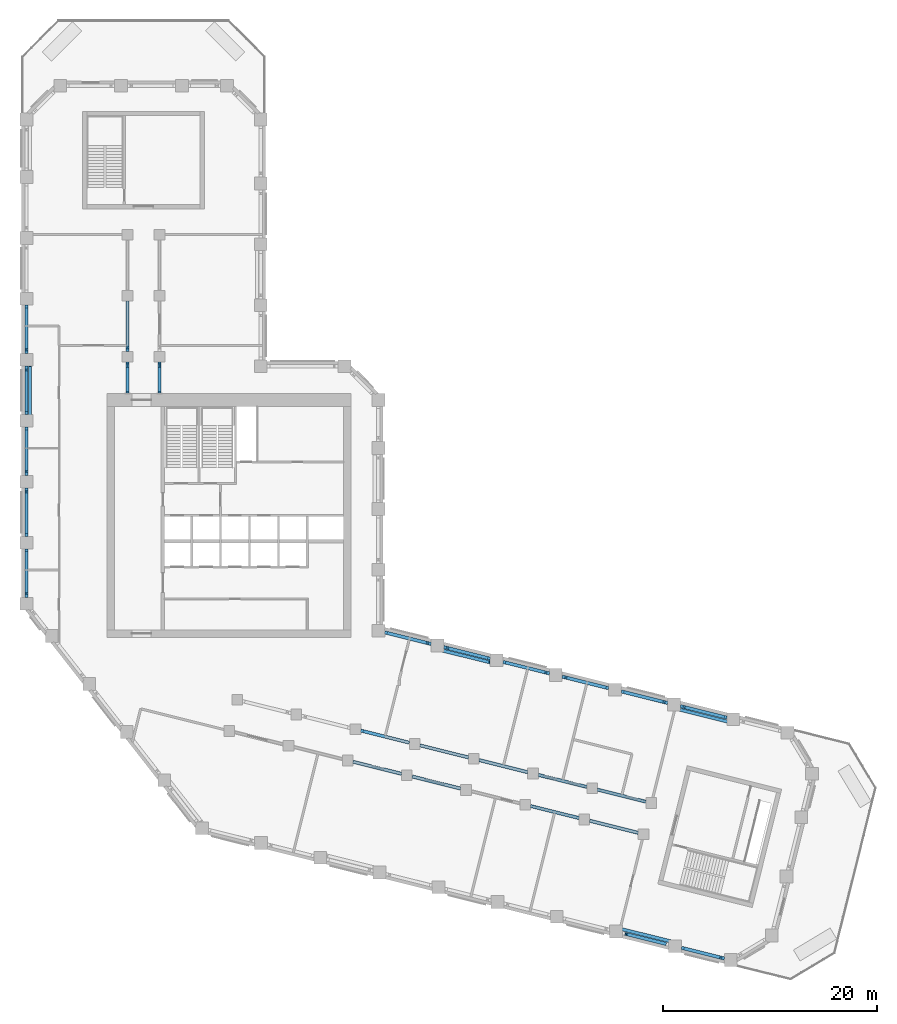
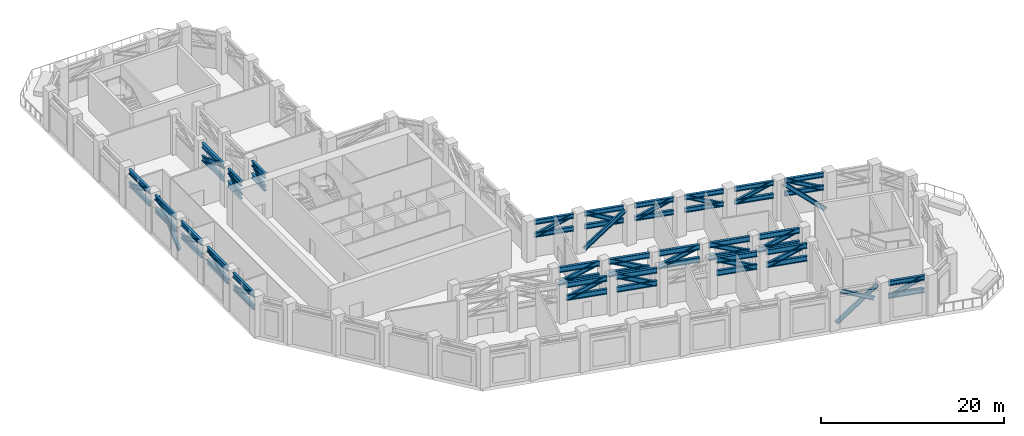
# One storey, part 2 of 14: 48 beams, 29 members.
"""IFC4 building model written with IfcOpenShell, lengths in metres."""

from ifc_helpers import new_model, si_unit, direction, frame, origin, origin_2d, place, context, subcontext, project, spatial, i_section, extrude, material, material_profile, profile_set, type_object, element, save


model = new_model("IFC4")

# Units and contexts
model_context = context("Model", 3, precision=1e-05, world=origin(), true_north=direction((0.0, 1.0)))
body_context = subcontext(model_context, "Body", "Model", "MODEL_VIEW")
ifc_project = project(units=[si_unit("LENGTHUNIT", "METRE"), si_unit("AREAUNIT", "SQUARE_METRE"), si_unit("VOLUMEUNIT", "CUBIC_METRE"), si_unit("PLANEANGLEUNIT", "RADIAN"), si_unit("MASSUNIT", "GRAM", prefix="KILO")], contexts=[model_context])

# Site, building, storey
site_placement = place(None, origin())
site = spatial("IfcSite", under=ifc_project, at=site_placement, CompositionType="ELEMENT")
building_placement = place(site_placement, origin())
building = spatial("IfcBuilding", under=site, at=building_placement, Name="Meshkara Civic Tower", CompositionType="ELEMENT")
storey_placement = place(building_placement, frame((0.0, 0.0, 220.199951171875)))
storey = spatial("IfcBuildingStorey", under=building, at=storey_placement, Name="L50", CompositionType="ELEMENT", Elevation=220.199951171875)

# Beams
ifc_material_1 = material(Name="Steel S355", Category="steel")
ifc_material_profile_1 = material_profile(ifc_material_1, i_section(OverallWidth=0.304931640625, OverallDepth=0.6201171875, WebThickness=0.02099609375, FlangeThickness=0.0400390625, FilletRadius=0.027099609375, at=origin_2d()))
ifc_profile_set_1 = profile_set([ifc_material_profile_1], Name="Steel S355")
beam_type_1 = type_object("IfcBeamType", Name="Belt truss chord HEM 600 S355", PredefinedType="BEAM", material=ifc_profile_set_1)
for number, where, z_axis, x_axis, name in (
    (1, (65.93896484375, 6.593505859375, 4.7900390625), (-0.970309199754, 0.241867850018, 0.0), (-0.241867850018, -0.970309199754, 0.0), "Belt truss chord BBN06-BN05"),
    (2, (65.93896484375, 6.593505859375, 3.090087890625), (-0.970309199754, 0.241867850018, 0.0), (-0.241867850018, -0.970309199754, 0.0), "Belt truss chord BBN06-BN05"),
):
    element("IfcBeam", number, at=place(storey_placement, frame(where, z_axis=z_axis, x_axis=x_axis)), inside=storey, type_object=beam_type_1, Name=name, PredefinedType="BEAM", context=body_context, shape_type="SweptSolid", body=[
        extrude(i_section(OverallWidth=0.304931640625, OverallDepth=0.6201171875, WebThickness=0.02099609375, FlangeThickness=0.0400390625, FilletRadius=0.027099609375, at=origin_2d()), origin(), (0.0, 0.0, 1.0), 4.4736328125),
    ])
for number, where, z_axis, x_axis, name in (
    (3, (60.407958984375, 7.972412109375, 4.7900390625), (-0.970283611566, 0.241970479865, 0.0), (-0.241970479865, -0.970283611566, 0.0), "Belt truss chord BBN05-BN04"),
    (4, (60.407958984375, 7.972412109375, 3.090087890625), (-0.970283611566, 0.241970479865, 0.0), (-0.241970479865, -0.970283611566, 0.0), "Belt truss chord BBN05-BN04"),
):
    element("IfcBeam", number, at=place(storey_placement, frame(where, z_axis=z_axis, x_axis=x_axis)), inside=storey, type_object=beam_type_1, Name=name, PredefinedType="BEAM", context=body_context, shape_type="SweptSolid", body=[
        extrude(i_section(OverallWidth=0.304931640625, OverallDepth=0.6201171875, WebThickness=0.02099609375, FlangeThickness=0.0400390625, FilletRadius=0.027099609375, at=origin_2d()), origin(), (0.0, 0.0, 1.0), 4.47265625),
    ])
for number, where, z_axis, x_axis, name in (
    (5, (54.8779296875, 9.351318359375, 4.7900390625), (-0.970296390995, 0.241919229543, 0.0), (-0.241919229543, -0.970296390995, 0.0), "Belt truss chord BBN04-BN03"),
    (6, (54.8779296875, 9.351318359375, 3.090087890625), (-0.970296390995, 0.241919229543, 0.0), (-0.241919229543, -0.970296390995, 0.0), "Belt truss chord BBN04-BN03"),
    (7, (49.346923828125, 10.73046875, 4.7900390625), (-0.970309199754, 0.241867850018, 0.0), (-0.241867850018, -0.970309199754, 0.0), "Belt truss chord BBN03-BN02"),
    (8, (49.346923828125, 10.73046875, 3.090087890625), (-0.970309199754, 0.241867850018, 0.0), (-0.241867850018, -0.970309199754, 0.0), "Belt truss chord BBN03-BN02"),
):
    element("IfcBeam", number, at=place(storey_placement, frame(where, z_axis=z_axis, x_axis=x_axis)), inside=storey, type_object=beam_type_1, Name=name, PredefinedType="BEAM", context=body_context, shape_type="SweptSolid", body=[
        extrude(i_section(OverallWidth=0.304931640625, OverallDepth=0.6201171875, WebThickness=0.02099609375, FlangeThickness=0.0400390625, FilletRadius=0.027099609375, at=origin_2d()), origin(), (0.0, 0.0, 1.0), 4.4736328125),
    ])
for number, where, z_axis, x_axis, name in (
    (9, (43.81591796875, 12.109375, 4.7900390625), (-0.970283611566, 0.241970479865, 0.0), (-0.241970479865, -0.970283611566, 0.0), "Belt truss chord BBN02-BN01"),
    (10, (43.81591796875, 12.109375, 3.090087890625), (-0.970283611566, 0.241970479865, 0.0), (-0.241970479865, -0.970283611566, 0.0), "Belt truss chord BBN02-BN01"),
):
    element("IfcBeam", number, at=place(storey_placement, frame(where, z_axis=z_axis, x_axis=x_axis)), inside=storey, type_object=beam_type_1, Name=name, PredefinedType="BEAM", context=body_context, shape_type="SweptSolid", body=[
        extrude(i_section(OverallWidth=0.304931640625, OverallDepth=0.6201171875, WebThickness=0.02099609375, FlangeThickness=0.0400390625, FilletRadius=0.027099609375, at=origin_2d()), origin(), (0.0, 0.0, 1.0), 4.47265625),
    ])
for number, where, z_axis, x_axis, name in (
    (11, (38.285888671875, 13.48828125, 4.7900390625), (-0.970296390995, 0.241919229543, 0.0), (-0.241919229543, -0.970296390995, 0.0), "Belt truss chord BBN01-HE00"),
    (12, (38.285888671875, 13.48828125, 3.090087890625), (-0.970296390995, 0.241919229543, 0.0), (-0.241919229543, -0.970296390995, 0.0), "Belt truss chord BBN01-HE00"),
):
    element("IfcBeam", number, at=place(storey_placement, frame(where, z_axis=z_axis, x_axis=x_axis)), inside=storey, type_object=beam_type_1, Name=name, PredefinedType="BEAM", context=body_context, shape_type="SweptSolid", body=[
        extrude(i_section(OverallWidth=0.304931640625, OverallDepth=0.6201171875, WebThickness=0.02099609375, FlangeThickness=0.0400390625, FilletRadius=0.027099609375, at=origin_2d()), origin(), (0.0, 0.0, 1.0), 4.4736328125),
    ])
for number, where, z_axis, x_axis, name in (
    (13, (0.449951171875, 45.159912109375, 4.7900390625), (0.0, -1.0, 0.0), (1.0, 0.0, 0.0), "Belt truss chord BAW05-AW04"),
    (14, (0.449951171875, 45.159912109375, 3.090087890625), (0.0, -1.0, 0.0), (1.0, 0.0, 0.0), "Belt truss chord BAW05-AW04"),
    (15, (0.449951171875, 39.4599609375, 4.7900390625), (0.0, -1.0, 0.0), (1.0, 0.0, 0.0), "Belt truss chord BAW04-AW03"),
    (16, (0.449951171875, 39.4599609375, 3.090087890625), (0.0, -1.0, 0.0), (1.0, 0.0, 0.0), "Belt truss chord BAW04-AW03"),
    (17, (0.449951171875, 33.760009765625, 4.7900390625), (0.0, -1.0, 0.0), (1.0, 0.0, 0.0), "Belt truss chord BAW03-AW02"),
    (18, (0.449951171875, 33.760009765625, 3.090087890625), (0.0, -1.0, 0.0), (1.0, 0.0, 0.0), "Belt truss chord BAW03-AW02"),
    (19, (0.449951171875, 28.06005859375, 4.7900390625), (0.0, -1.0, 0.0), (1.0, 0.0, 0.0), "Belt truss chord BAW02-AW01"),
    (20, (0.449951171875, 28.06005859375, 3.090087890625), (0.0, -1.0, 0.0), (1.0, 0.0, 0.0), "Belt truss chord BAW02-AW01"),
    (21, (0.449951171875, 22.360107421875, 4.7900390625), (0.0, -1.0, 0.0), (1.0, 0.0, 0.0), "Belt truss chord BAW01-AW00"),
    (22, (0.449951171875, 22.360107421875, 3.090087890625), (0.0, -1.0, 0.0), (1.0, 0.0, 0.0), "Belt truss chord BAW01-AW00"),
):
    element("IfcBeam", number, at=place(storey_placement, frame(where, z_axis=z_axis, x_axis=x_axis)), inside=storey, type_object=beam_type_1, Name=name, PredefinedType="BEAM", context=body_context, shape_type="SweptSolid", body=[
        extrude(i_section(OverallWidth=0.304931640625, OverallDepth=0.6201171875, WebThickness=0.02099609375, FlangeThickness=0.0400390625, FilletRadius=0.027099609375, at=origin_2d()), origin(), (0.0, 0.0, 1.0), 4.510009765625),
    ])
for number, where, z_axis, x_axis, name in (
    (23, (61.692138671875, -14.91748046875, 4.7900390625), (0.970322988739, -0.241812525574, 0.0), (0.241812525574, 0.970322988739, 0.0), "Belt truss chord BBS08-BSEP3"),
    (24, (61.692138671875, -14.91748046875, 3.090087890625), (0.970322988739, -0.241812525574, 0.0), (0.241812525574, 0.970322988739, 0.0), "Belt truss chord BBS08-BSEP3"),
):
    element("IfcBeam", number, at=place(storey_placement, frame(where, z_axis=z_axis, x_axis=x_axis)), inside=storey, type_object=beam_type_1, Name=name, PredefinedType="BEAM", context=body_context, shape_type="SweptSolid", body=[
        extrude(i_section(OverallWidth=0.304931640625, OverallDepth=0.6201171875, WebThickness=0.02099609375, FlangeThickness=0.0400390625, FilletRadius=0.027099609375, at=origin_2d()), origin(), (0.0, 0.0, 1.0), 4.13134765625),
    ])
ifc_material_2 = material(Name="Steel S355", Category="steel")
ifc_material_profile_2 = material_profile(ifc_material_2, i_section(OverallWidth=0.300048828125, OverallDepth=0.699951171875, WebThickness=0.01708984375, FlangeThickness=0.031982421875, FilletRadius=0.027099609375, at=origin_2d()))
ifc_profile_set_2 = profile_set([ifc_material_profile_2], Name="Steel S355")
beam_type_2 = type_object("IfcBeamType", Name="Outrigger chord HEB 700 S355", PredefinedType="BEAM", material=ifc_profile_set_2)
for number, where, z_axis, x_axis, name in (
    (25, (9.89990234375, 36.93994140625, 4.75), (0.0, 1.0, 0.0), (-1.0, 0.0, 0.0), "Outrigger chord OSA1-CORE-SA1-04"),
    (26, (9.89990234375, 36.93994140625, 3.050048828125), (0.0, 1.0, 0.0), (-1.0, 0.0, 0.0), "Outrigger chord OSA1-CORE-SA1-04"),
):
    element("IfcBeam", number, at=place(storey_placement, frame(where, z_axis=z_axis, x_axis=x_axis)), inside=storey, type_object=beam_type_2, Name=name, PredefinedType="BEAM", context=body_context, shape_type="SweptSolid", body=[
        extrude(i_section(OverallWidth=0.300048828125, OverallDepth=0.699951171875, WebThickness=0.01708984375, FlangeThickness=0.031982421875, FilletRadius=0.027099609375, at=origin_2d()), origin(), (0.0, 0.0, 1.0), 2.9150390625),
    ])
for number, where, z_axis, x_axis, name in (
    (27, (9.89990234375, 40.844970703125, 4.75), (0.0, 1.0, 0.0), (-1.0, 0.0, 0.0), "Outrigger chord OSA1-SA1-04-SA1-05"),
    (28, (9.89990234375, 40.844970703125, 3.050048828125), (0.0, 1.0, 0.0), (-1.0, 0.0, 0.0), "Outrigger chord OSA1-SA1-04-SA1-05"),
):
    element("IfcBeam", number, at=place(storey_placement, frame(where, z_axis=z_axis, x_axis=x_axis)), inside=storey, type_object=beam_type_2, Name=name, PredefinedType="BEAM", context=body_context, shape_type="SweptSolid", body=[
        extrude(i_section(OverallWidth=0.300048828125, OverallDepth=0.699951171875, WebThickness=0.01708984375, FlangeThickness=0.031982421875, FilletRadius=0.027099609375, at=origin_2d()), origin(), (0.0, 0.0, 1.0), 4.7099609375),
    ])
for number, where, z_axis, x_axis, name in (
    (29, (12.89990234375, 36.93994140625, 4.75), (0.0, 1.0, 0.0), (-1.0, 0.0, 0.0), "Outrigger chord OSA2-CORE-SA2-04"),
    (30, (12.89990234375, 36.93994140625, 3.050048828125), (0.0, 1.0, 0.0), (-1.0, 0.0, 0.0), "Outrigger chord OSA2-CORE-SA2-04"),
):
    element("IfcBeam", number, at=place(storey_placement, frame(where, z_axis=z_axis, x_axis=x_axis)), inside=storey, type_object=beam_type_2, Name=name, PredefinedType="BEAM", context=body_context, shape_type="SweptSolid", body=[
        extrude(i_section(OverallWidth=0.300048828125, OverallDepth=0.699951171875, WebThickness=0.01708984375, FlangeThickness=0.031982421875, FilletRadius=0.027099609375, at=origin_2d()), origin(), (0.0, 0.0, 1.0), 2.9150390625),
    ])
for number, where, z_axis, x_axis, name in (
    (31, (30.97998046875, 2.478515625, 4.75), (0.970301859111, -0.241897296812, 0.0), (0.241897296812, 0.970301859111, 0.0), "Outrigger chord OSB1-SB1-02-SB1-03"),
    (32, (30.97998046875, 2.478515625, 3.050048828125), (0.970301859111, -0.241897296812, 0.0), (0.241897296812, 0.970301859111, 0.0), "Outrigger chord OSB1-SB1-02-SB1-03"),
):
    element("IfcBeam", number, at=place(storey_placement, frame(where, z_axis=z_axis, x_axis=x_axis)), inside=storey, type_object=beam_type_2, Name=name, PredefinedType="BEAM", context=body_context, shape_type="SweptSolid", body=[
        extrude(i_section(OverallWidth=0.300048828125, OverallDepth=0.699951171875, WebThickness=0.01708984375, FlangeThickness=0.031982421875, FilletRadius=0.027099609375, at=origin_2d()), origin(), (0.0, 0.0, 1.0), 4.679931640625),
    ])
for number, where, z_axis, x_axis, name in (
    (33, (36.510986328125, 1.099609375, 4.75), (0.970286590806, -0.241958533023, 0.0), (0.241958533023, 0.970286590806, 0.0), "Outrigger chord OSB1-SB1-03-SB1-04"),
    (34, (36.510986328125, 1.099609375, 3.050048828125), (0.970286590806, -0.241958533023, 0.0), (0.241958533023, 0.970286590806, 0.0), "Outrigger chord OSB1-SB1-03-SB1-04"),
):
    element("IfcBeam", number, at=place(storey_placement, frame(where, z_axis=z_axis, x_axis=x_axis)), inside=storey, type_object=beam_type_2, Name=name, PredefinedType="BEAM", context=body_context, shape_type="SweptSolid", body=[
        extrude(i_section(OverallWidth=0.300048828125, OverallDepth=0.699951171875, WebThickness=0.01708984375, FlangeThickness=0.031982421875, FilletRadius=0.027099609375, at=origin_2d()), origin(), (0.0, 0.0, 1.0), 4.6787109375),
    ])
for number, where, z_axis, x_axis, name in (
    (35, (47.572021484375, -1.658447265625, 4.75), (0.970298806378, -0.241909541651, 0.0), (0.241909541651, 0.970298806378, 0.0), "Outrigger chord OSB1-SB1-05-SB1-06"),
    (36, (47.572021484375, -1.658447265625, 3.050048828125), (0.970298806378, -0.241909541651, 0.0), (0.241909541651, 0.970298806378, 0.0), "Outrigger chord OSB1-SB1-05-SB1-06"),
    (37, (53.10302734375, -3.037353515625, 4.75), (0.970335532899, -0.241762183959, 0.0), (0.241762183959, 0.970335532899, 0.0), "Outrigger chord OSB1-SB1-06-SB1-07"),
    (38, (53.10302734375, -3.037353515625, 3.050048828125), (0.970335532899, -0.241762183959, 0.0), (0.241762183959, 0.970335532899, 0.0), "Outrigger chord OSB1-SB1-06-SB1-07"),
    (39, (31.7060546875, 5.389404296875, 4.75), (0.970311050729, -0.24186042428, 0.0), (0.24186042428, 0.970311050729, 0.0), "Outrigger chord OSB2-SB2-02-SB2-03"),
    (40, (31.7060546875, 5.389404296875, 3.050048828125), (0.970311050729, -0.24186042428, 0.0), (0.24186042428, 0.970311050729, 0.0), "Outrigger chord OSB2-SB2-02-SB2-03"),
):
    element("IfcBeam", number, at=place(storey_placement, frame(where, z_axis=z_axis, x_axis=x_axis)), inside=storey, type_object=beam_type_2, Name=name, PredefinedType="BEAM", context=body_context, shape_type="SweptSolid", body=[
        extrude(i_section(OverallWidth=0.300048828125, OverallDepth=0.699951171875, WebThickness=0.01708984375, FlangeThickness=0.031982421875, FilletRadius=0.027099609375, at=origin_2d()), origin(), (0.0, 0.0, 1.0), 4.6796875),
    ])
for number, where, z_axis, x_axis, name in (
    (41, (37.237060546875, 4.010498046875, 4.75), (0.970286590806, -0.241958533023, 0.0), (0.241958533023, 0.970286590806, 0.0), "Outrigger chord OSB2-SB2-03-SB2-04"),
    (42, (37.237060546875, 4.010498046875, 3.050048828125), (0.970286590806, -0.241958533023, 0.0), (0.241958533023, 0.970286590806, 0.0), "Outrigger chord OSB2-SB2-03-SB2-04"),
):
    element("IfcBeam", number, at=place(storey_placement, frame(where, z_axis=z_axis, x_axis=x_axis)), inside=storey, type_object=beam_type_2, Name=name, PredefinedType="BEAM", context=body_context, shape_type="SweptSolid", body=[
        extrude(i_section(OverallWidth=0.300048828125, OverallDepth=0.699951171875, WebThickness=0.01708984375, FlangeThickness=0.031982421875, FilletRadius=0.027099609375, at=origin_2d()), origin(), (0.0, 0.0, 1.0), 4.6787109375),
    ])
for number, where, z_axis, x_axis, name in (
    (43, (42.76708984375, 2.631591796875, 4.75), (0.970298806378, -0.241909541651, 0.0), (0.241909541651, 0.970298806378, 0.0), "Outrigger chord OSB2-SB2-04-SB2-05"),
    (44, (42.76708984375, 2.631591796875, 3.050048828125), (0.970298806378, -0.241909541651, 0.0), (0.241909541651, 0.970298806378, 0.0), "Outrigger chord OSB2-SB2-04-SB2-05"),
    (45, (48.298095703125, 1.25244140625, 4.75), (0.970311050729, -0.24186042428, 0.0), (0.24186042428, 0.970311050729, 0.0), "Outrigger chord OSB2-SB2-05-SB2-06"),
    (46, (48.298095703125, 1.25244140625, 3.050048828125), (0.970311050729, -0.24186042428, 0.0), (0.24186042428, 0.970311050729, 0.0), "Outrigger chord OSB2-SB2-05-SB2-06"),
):
    element("IfcBeam", number, at=place(storey_placement, frame(where, z_axis=z_axis, x_axis=x_axis)), inside=storey, type_object=beam_type_2, Name=name, PredefinedType="BEAM", context=body_context, shape_type="SweptSolid", body=[
        extrude(i_section(OverallWidth=0.300048828125, OverallDepth=0.699951171875, WebThickness=0.01708984375, FlangeThickness=0.031982421875, FilletRadius=0.027099609375, at=origin_2d()), origin(), (0.0, 0.0, 1.0), 4.6796875),
    ])
for number, where, z_axis, x_axis, name in (
    (47, (53.8291015625, -0.12646484375, 4.75), (0.970286590806, -0.241958533023, 0.0), (0.241958533023, 0.970286590806, 0.0), "Outrigger chord OSB2-SB2-06-SB2-07"),
    (48, (53.8291015625, -0.12646484375, 3.050048828125), (0.970286590806, -0.241958533023, 0.0), (0.241958533023, 0.970286590806, 0.0), "Outrigger chord OSB2-SB2-06-SB2-07"),
):
    element("IfcBeam", number, at=place(storey_placement, frame(where, z_axis=z_axis, x_axis=x_axis)), inside=storey, type_object=beam_type_2, Name=name, PredefinedType="BEAM", context=body_context, shape_type="SweptSolid", body=[
        extrude(i_section(OverallWidth=0.300048828125, OverallDepth=0.699951171875, WebThickness=0.01708984375, FlangeThickness=0.031982421875, FilletRadius=0.027099609375, at=origin_2d()), origin(), (0.0, 0.0, 1.0), 4.6787109375),
    ])

# Members
ifc_material_3 = material(Name="Steel S355", Category="steel")
ifc_material_profile_3 = material_profile(ifc_material_3, i_section(OverallWidth=0.300048828125, OverallDepth=0.590087890625, WebThickness=0.012939453125, FlangeThickness=0.02490234375, FilletRadius=0.027099609375, at=origin_2d()))
ifc_profile_set_3 = profile_set([ifc_material_profile_3], Name="Steel S355")
member_type_1 = type_object("IfcMemberType", Name="Truss diagonal HEA 600 S355", PredefinedType="BRACE", material=ifc_profile_set_3)
member_1_placement = place(storey_placement, frame((9.89990234375, 37.2900390625, 3.050048828125), z_axis=(0.0, 0.793276913561, 0.60886101732), x_axis=(-1.0, 0.0, 0.0)))
element("IfcMember", 49, at=member_1_placement, inside=storey, type_object=member_type_1, Name="TD-OSA1-CORE-SA1-04-L50", PredefinedType="BRACE", context=body_context, shape_type="SweptSolid", body=[
    extrude(i_section(OverallWidth=0.300048828125, OverallDepth=0.590087890625, WebThickness=0.012939453125, FlangeThickness=0.02490234375, FilletRadius=0.027099609375, at=origin_2d()), origin(), (0.0, 0.0, 1.0), 2.7919921875),
])
member_2_placement = place(storey_placement, frame((9.89990234375, 41.195068359375, 4.75), z_axis=(0.0, 0.920686179442, -0.39030367534), x_axis=(-1.0, 0.0, 0.0)))
element("IfcMember", 50, at=member_2_placement, inside=storey, type_object=member_type_1, Name="TD-OSA1-SA1-04-SA1-05-L50", PredefinedType="BRACE", context=body_context, shape_type="SweptSolid", body=[
    extrude(i_section(OverallWidth=0.300048828125, OverallDepth=0.590087890625, WebThickness=0.012939453125, FlangeThickness=0.02490234375, FilletRadius=0.027099609375, at=origin_2d()), origin(), (0.0, 0.0, 1.0), 4.35546875),
])
member_3_placement = place(storey_placement, frame((12.89990234375, 37.2900390625, 3.050048828125), z_axis=(0.0, 0.793276913561, 0.60886101732), x_axis=(-1.0, 0.0, 0.0)))
element("IfcMember", 51, at=member_3_placement, inside=storey, type_object=member_type_1, Name="TD-OSA2-CORE-SA2-04-L50", PredefinedType="BRACE", context=body_context, shape_type="SweptSolid", body=[
    extrude(i_section(OverallWidth=0.300048828125, OverallDepth=0.590087890625, WebThickness=0.012939453125, FlangeThickness=0.02490234375, FilletRadius=0.027099609375, at=origin_2d()), origin(), (0.0, 0.0, 1.0), 2.7919921875),
])
member_4_placement = place(storey_placement, frame((31.31982421875, 2.393798828125, 3.050048828125), z_axis=(0.892297807062, -0.22245386022, 0.392834448064), x_axis=(0.241900427004, 0.970301078746, 0.0)))
element("IfcMember", 52, at=member_4_placement, inside=storey, type_object=member_type_1, Name="TD-OSB1-SB1-02-SB1-03-L50", PredefinedType="BRACE", context=body_context, shape_type="SweptSolid", body=[
    extrude(i_section(OverallWidth=0.300048828125, OverallDepth=0.590087890625, WebThickness=0.012939453125, FlangeThickness=0.02490234375, FilletRadius=0.027099609375, at=origin_2d()), origin(), (0.0, 0.0, 1.0), 4.327392578125),
])
member_5_placement = place(storey_placement, frame((36.8505859375, 1.014892578125, 4.75), z_axis=(0.892263304857, -0.222487460384, -0.392893783072), x_axis=(0.241943633537, 0.970290306141, 0.0)))
element("IfcMember", 53, at=member_5_placement, inside=storey, type_object=member_type_1, Name="TD-OSB1-SB1-03-SB1-04-L50", PredefinedType="BRACE", context=body_context, shape_type="SweptSolid", body=[
    extrude(i_section(OverallWidth=0.300048828125, OverallDepth=0.590087890625, WebThickness=0.012939453125, FlangeThickness=0.02490234375, FilletRadius=0.027099609375, at=origin_2d()), origin(), (0.0, 0.0, 1.0), 4.32666015625),
])
member_6_placement = place(storey_placement, frame((47.911865234375, -1.7431640625, 4.75), z_axis=(0.892297807062, -0.22245386022, -0.392834448064), x_axis=(0.241900427004, 0.970301078746, 0.0)))
element("IfcMember", 54, at=member_6_placement, inside=storey, type_object=member_type_1, Name="TD-OSB1-SB1-05-SB1-06-L50", PredefinedType="BRACE", context=body_context, shape_type="SweptSolid", body=[
    extrude(i_section(OverallWidth=0.300048828125, OverallDepth=0.590087890625, WebThickness=0.012939453125, FlangeThickness=0.02490234375, FilletRadius=0.027099609375, at=origin_2d()), origin(), (0.0, 0.0, 1.0), 4.327392578125),
])
member_7_placement = place(storey_placement, frame((53.44287109375, -3.1220703125, 3.050048828125), z_axis=(0.892331391916, -0.222292974466, 0.392849233808), x_axis=(0.241727137149, 0.970344264251, 0.0)))
element("IfcMember", 55, at=member_7_placement, inside=storey, type_object=member_type_1, Name="TD-OSB1-SB1-06-SB1-07-L50", PredefinedType="BRACE", context=body_context, shape_type="SweptSolid", body=[
    extrude(i_section(OverallWidth=0.300048828125, OverallDepth=0.590087890625, WebThickness=0.012939453125, FlangeThickness=0.02490234375, FilletRadius=0.027099609375, at=origin_2d()), origin(), (0.0, 0.0, 1.0), 4.3271484375),
])
member_8_placement = place(storey_placement, frame((32.0458984375, 5.304931640625, 3.050048828125), z_axis=(0.892286607273, -0.222507484768, 0.392829517352), x_axis=(0.241958185146, 0.970286677555, 0.0)))
element("IfcMember", 56, at=member_8_placement, inside=storey, type_object=member_type_1, Name="TD-OSB2-SB2-02-SB2-03-L50", PredefinedType="BRACE", context=body_context, shape_type="SweptSolid", body=[
    extrude(i_section(OverallWidth=0.300048828125, OverallDepth=0.590087890625, WebThickness=0.012939453125, FlangeThickness=0.02490234375, FilletRadius=0.027099609375, at=origin_2d()), origin(), (0.0, 0.0, 1.0), 4.327392578125),
])
member_9_placement = place(storey_placement, frame((37.57666015625, 3.92578125, 4.75), z_axis=(0.892263304857, -0.222487460384, -0.392893783072), x_axis=(0.241943633537, 0.970290306141, 0.0)))
element("IfcMember", 57, at=member_9_placement, inside=storey, type_object=member_type_1, Name="TD-OSB2-SB2-03-SB2-04-L50", PredefinedType="BRACE", context=body_context, shape_type="SweptSolid", body=[
    extrude(i_section(OverallWidth=0.300048828125, OverallDepth=0.590087890625, WebThickness=0.012939453125, FlangeThickness=0.02490234375, FilletRadius=0.027099609375, at=origin_2d()), origin(), (0.0, 0.0, 1.0), 4.32666015625),
])
for number, where, z_axis, x_axis, name in (
    (58, (43.106689453125, 2.546875, 3.050048828125), (0.892298105518, -0.222496284261, 0.392809743233), (0.241943783281, 0.970290268802, 0.0), "TD-OSB2-SB2-04-SB2-05-L50"),
    (59, (48.6376953125, 1.16796875, 4.75), (0.892298105518, -0.222496284261, -0.392809743233), (0.241943783281, 0.970290268802, 0.0), "TD-OSB2-SB2-05-SB2-06-L50"),
):
    element("IfcMember", number, at=place(storey_placement, frame(where, z_axis=z_axis, x_axis=x_axis)), inside=storey, type_object=member_type_1, Name=name, PredefinedType="BRACE", context=body_context, shape_type="SweptSolid", body=[
        extrude(i_section(OverallWidth=0.300048828125, OverallDepth=0.590087890625, WebThickness=0.012939453125, FlangeThickness=0.02490234375, FilletRadius=0.027099609375, at=origin_2d()), origin(), (0.0, 0.0, 1.0), 4.32763671875),
    ])
member_10_placement = place(storey_placement, frame((54.168701171875, -0.211181640625, 3.050048828125), z_axis=(0.892263304857, -0.222487460384, 0.392893783072), x_axis=(0.241943633537, 0.970290306141, 0.0)))
element("IfcMember", 60, at=member_10_placement, inside=storey, type_object=member_type_1, Name="TD-OSB2-SB2-06-SB2-07-L50", PredefinedType="BRACE", context=body_context, shape_type="SweptSolid", body=[
    extrude(i_section(OverallWidth=0.300048828125, OverallDepth=0.590087890625, WebThickness=0.012939453125, FlangeThickness=0.02490234375, FilletRadius=0.027099609375, at=origin_2d()), origin(), (0.0, 0.0, 1.0), 4.32666015625),
])
ifc_material_4 = material(Name="Steel S355", Category="steel")
ifc_material_profile_4 = material_profile(ifc_material_4, i_section(OverallWidth=0.300048828125, OverallDepth=0.5, WebThickness=0.014404296875, FlangeThickness=0.028076171875, FilletRadius=0.027099609375, at=origin_2d()))
ifc_profile_set_4 = profile_set([ifc_material_profile_4], Name="Steel S355")
member_type_2 = type_object("IfcMemberType", Name="Truss diagonal HEB 500 S355", PredefinedType="BRACE", material=ifc_profile_set_4)
member_11_placement = place(storey_placement, frame((65.59912109375, 6.677978515625, 3.090087890625), z_axis=(-0.884669456815, 0.220562719146, 0.410745710996), x_axis=(-0.241911414998, -0.970298339323, 0.0)))
element("IfcMember", 61, at=member_11_placement, inside=storey, type_object=member_type_2, Name="TD-BBN06-BN05-L50", PredefinedType="BRACE", context=body_context, shape_type="SweptSolid", body=[
    extrude(i_section(OverallWidth=0.300048828125, OverallDepth=0.5, WebThickness=0.014404296875, FlangeThickness=0.028076171875, FilletRadius=0.027099609375, at=origin_2d()), origin(), (0.0, 0.0, 1.0), 4.138671875),
])
member_12_placement = place(storey_placement, frame((60.068359375, 8.05712890625, 4.7900390625), z_axis=(-0.884630981745, 0.220597254952, -0.410810025736), x_axis=(-0.241956983323, -0.97028697725, 0.0)))
element("IfcMember", 62, at=member_12_placement, inside=storey, type_object=member_type_2, Name="TD-BBN05-BN04-L50", PredefinedType="BRACE", context=body_context, shape_type="SweptSolid", body=[
    extrude(i_section(OverallWidth=0.300048828125, OverallDepth=0.5, WebThickness=0.014404296875, FlangeThickness=0.028076171875, FilletRadius=0.027099609375, at=origin_2d()), origin(), (0.0, 0.0, 1.0), 4.137939453125),
])
for number, where, z_axis, x_axis, name in (
    (63, (54.5380859375, 9.43603515625, 3.090087890625), (-0.884669456815, 0.220562719146, 0.410745710996), (-0.241911414998, -0.970298339323, 0.0), "TD-BBN04-BN03-L50"),
    (64, (49.007080078125, 10.815185546875, 4.7900390625), (-0.884680965884, 0.220506598018, -0.410751054574), (-0.24185050036, -0.970313524319, 0.0), "TD-BBN03-BN02-L50"),
):
    element("IfcMember", number, at=place(storey_placement, frame(where, z_axis=z_axis, x_axis=x_axis)), inside=storey, type_object=member_type_2, Name=name, PredefinedType="BRACE", context=body_context, shape_type="SweptSolid", body=[
        extrude(i_section(OverallWidth=0.300048828125, OverallDepth=0.5, WebThickness=0.014404296875, FlangeThickness=0.028076171875, FilletRadius=0.027099609375, at=origin_2d()), origin(), (0.0, 0.0, 1.0), 4.138671875),
    ])
member_13_placement = place(storey_placement, frame((43.476318359375, 12.194091796875, 3.090087890625), z_axis=(-0.884630981745, 0.220597254952, 0.410810025736), x_axis=(-0.241956983323, -0.97028697725, 0.0)))
element("IfcMember", 65, at=member_13_placement, inside=storey, type_object=member_type_2, Name="TD-BBN02-BN01-L50", PredefinedType="BRACE", context=body_context, shape_type="SweptSolid", body=[
    extrude(i_section(OverallWidth=0.300048828125, OverallDepth=0.5, WebThickness=0.014404296875, FlangeThickness=0.028076171875, FilletRadius=0.027099609375, at=origin_2d()), origin(), (0.0, 0.0, 1.0), 4.137939453125),
])
member_14_placement = place(storey_placement, frame((37.9462890625, 13.572998046875, 4.7900390625), z_axis=(-0.884669456815, 0.220562719146, -0.410745710996), x_axis=(-0.241911414998, -0.970298339323, 0.0)))
element("IfcMember", 66, at=member_14_placement, inside=storey, type_object=member_type_2, Name="TD-BBN01-HE00-L50", PredefinedType="BRACE", context=body_context, shape_type="SweptSolid", body=[
    extrude(i_section(OverallWidth=0.300048828125, OverallDepth=0.5, WebThickness=0.014404296875, FlangeThickness=0.028076171875, FilletRadius=0.027099609375, at=origin_2d()), origin(), (0.0, 0.0, 1.0), 4.138671875),
])
for number, where, z_axis, x_axis, name in (
    (67, (0.449951171875, 44.81005859375, 3.090087890625), (0.0, -0.91322421456, 0.407457401383), (1.0, 0.0, 0.0), "TD-BAW05-AW04-L50"),
    (68, (0.449951171875, 39.110107421875, 4.7900390625), (0.0, -0.91322421456, -0.407457401383), (1.0, 0.0, 0.0), "TD-BAW04-AW03-L50"),
):
    element("IfcMember", number, at=place(storey_placement, frame(where, z_axis=z_axis, x_axis=x_axis)), inside=storey, type_object=member_type_2, Name=name, PredefinedType="BRACE", context=body_context, shape_type="SweptSolid", body=[
        extrude(i_section(OverallWidth=0.300048828125, OverallDepth=0.5, WebThickness=0.014404296875, FlangeThickness=0.028076171875, FilletRadius=0.027099609375, at=origin_2d()), origin(), (0.0, 0.0, 1.0), 4.172119140625),
    ])
member_15_placement = place(storey_placement, frame((0.449951171875, 33.409912109375, 3.090087890625), z_axis=(0.0, -0.913214498615, 0.407479176793), x_axis=(1.0, 0.0, 0.0)))
element("IfcMember", 69, at=member_15_placement, inside=storey, type_object=member_type_2, Name="TD-BAW03-AW02-L50", PredefinedType="BRACE", context=body_context, shape_type="SweptSolid", body=[
    extrude(i_section(OverallWidth=0.300048828125, OverallDepth=0.5, WebThickness=0.014404296875, FlangeThickness=0.028076171875, FilletRadius=0.027099609375, at=origin_2d()), origin(), (0.0, 0.0, 1.0), 4.171875),
])
for number, where, z_axis, x_axis, name in (
    (70, (0.449951171875, 27.7099609375, 4.7900390625), (0.0, -0.91322421456, -0.407457401383), (1.0, 0.0, 0.0), "TD-BAW02-AW01-L50"),
    (71, (0.449951171875, 22.010009765625, 3.090087890625), (0.0, -0.91322421456, 0.407457401383), (1.0, 0.0, 0.0), "TD-BAW01-AW00-L50"),
):
    element("IfcMember", number, at=place(storey_placement, frame(where, z_axis=z_axis, x_axis=x_axis)), inside=storey, type_object=member_type_2, Name=name, PredefinedType="BRACE", context=body_context, shape_type="SweptSolid", body=[
        extrude(i_section(OverallWidth=0.300048828125, OverallDepth=0.5, WebThickness=0.014404296875, FlangeThickness=0.028076171875, FilletRadius=0.027099609375, at=origin_2d()), origin(), (0.0, 0.0, 1.0), 4.172119140625),
    ])
member_16_placement = place(storey_placement, frame((56.500732421875, -13.623046875, 4.7900390625), z_axis=(0.884669456815, -0.220562719146, -0.410745710996), x_axis=(0.241911414998, 0.970298339323, 0.0)))
element("IfcMember", 72, at=member_16_placement, inside=storey, type_object=member_type_2, Name="TD-BBS07-BS08-L50", PredefinedType="BRACE", context=body_context, shape_type="SweptSolid", body=[
    extrude(i_section(OverallWidth=0.300048828125, OverallDepth=0.5, WebThickness=0.014404296875, FlangeThickness=0.028076171875, FilletRadius=0.027099609375, at=origin_2d()), origin(), (0.0, 0.0, 1.0), 4.138671875),
])
member_17_placement = place(storey_placement, frame((62.03173828125, -15.001953125, 3.090087890625), z_axis=(0.869443681177, -0.216771175185, 0.443934615534), x_axis=(0.241916136355, 0.970297162199, 0.0)))
element("IfcMember", 73, at=member_17_placement, inside=storey, type_object=member_type_2, Name="TD-BBS08-BSEP3-L50", PredefinedType="BRACE", context=body_context, shape_type="SweptSolid", body=[
    extrude(i_section(OverallWidth=0.300048828125, OverallDepth=0.5, WebThickness=0.014404296875, FlangeThickness=0.028076171875, FilletRadius=0.027099609375, at=origin_2d()), origin(), (0.0, 0.0, 1.0), 3.829345703125),
])
member_18_placement = place(storey_placement, frame((65.977783203125, 6.233154296875, 0.35009765625), z_axis=(-0.716818633059, 0.178735911761, 0.673961809858), x_axis=(-0.241938403434, -0.970291610261, 0.0)))
element("IfcMember", 74, at=member_18_placement, inside=storey, type_object=member_type_2, Name="TD-XBN06-BN05-L50", PredefinedType="BRACE", context=body_context, shape_type="SweptSolid", body=[
    extrude(i_section(OverallWidth=0.300048828125, OverallDepth=0.5, WebThickness=0.014404296875, FlangeThickness=0.028076171875, FilletRadius=0.027099609375, at=origin_2d()), origin(), (0.0, 0.0, 1.0), 6.38037109375),
])
member_19_placement = place(storey_placement, frame((43.85498046875, 11.749267578125, 4.650146484375), z_axis=(-0.716767718646, 0.17871357427, -0.67402188086), x_axis=(-0.241926114739, -0.970294674317, 0.0)))
element("IfcMember", 75, at=member_19_placement, inside=storey, type_object=member_type_2, Name="TD-XBN02-BN01-L50", PredefinedType="BRACE", context=body_context, shape_type="SweptSolid", body=[
    extrude(i_section(OverallWidth=0.300048828125, OverallDepth=0.5, WebThickness=0.014404296875, FlangeThickness=0.028076171875, FilletRadius=0.027099609375, at=origin_2d()), origin(), (0.0, 0.0, 1.0), 6.379638671875),
])
member_20_placement = place(storey_placement, frame((0.7900390625, 39.574951171875, 4.650146484375), z_axis=(0.0, -0.740642213309, -0.671899629308), x_axis=(1.0, 0.0, 0.0)))
element("IfcMember", 76, at=member_20_placement, inside=storey, type_object=member_type_2, Name="TD-XAW04-AW03-L50", PredefinedType="BRACE", context=body_context, shape_type="SweptSolid", body=[
    extrude(i_section(OverallWidth=0.300048828125, OverallDepth=0.5, WebThickness=0.014404296875, FlangeThickness=0.028076171875, FilletRadius=0.027099609375, at=origin_2d()), origin(), (0.0, 0.0, 1.0), 6.39990234375),
])
member_21_placement = place(storey_placement, frame((56.1220703125, -13.17822265625, 0.35009765625), z_axis=(0.716837235639, -0.17873100927, 0.673943323973), x_axis=(0.241926244909, 0.970294641861, 0.0)))
element("IfcMember", 77, at=member_21_placement, inside=storey, type_object=member_type_2, Name="TD-XBS07-BS08-L50", PredefinedType="BRACE", context=body_context, shape_type="SweptSolid", body=[
    extrude(i_section(OverallWidth=0.300048828125, OverallDepth=0.5, WebThickness=0.014404296875, FlangeThickness=0.028076171875, FilletRadius=0.027099609375, at=origin_2d()), origin(), (0.0, 0.0, 1.0), 6.38037109375),
])

save(model, "model.ifc")
